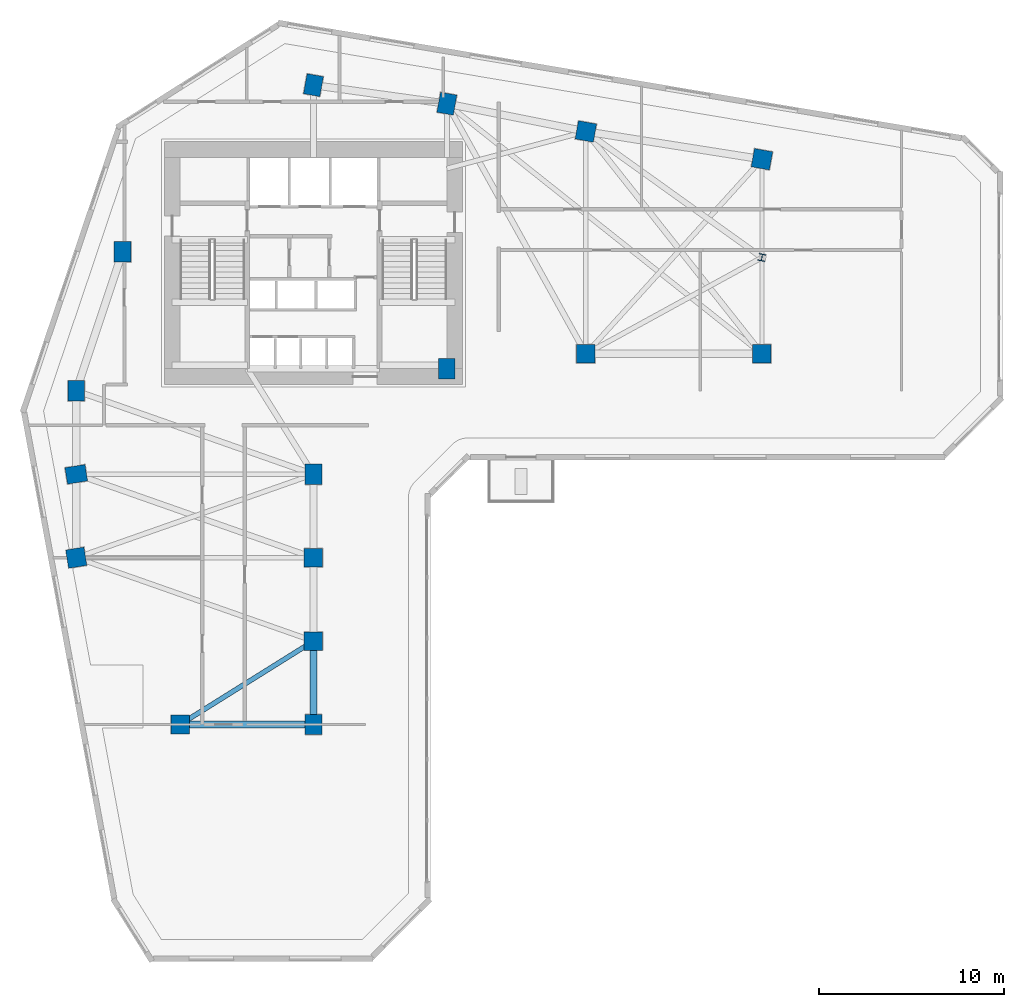
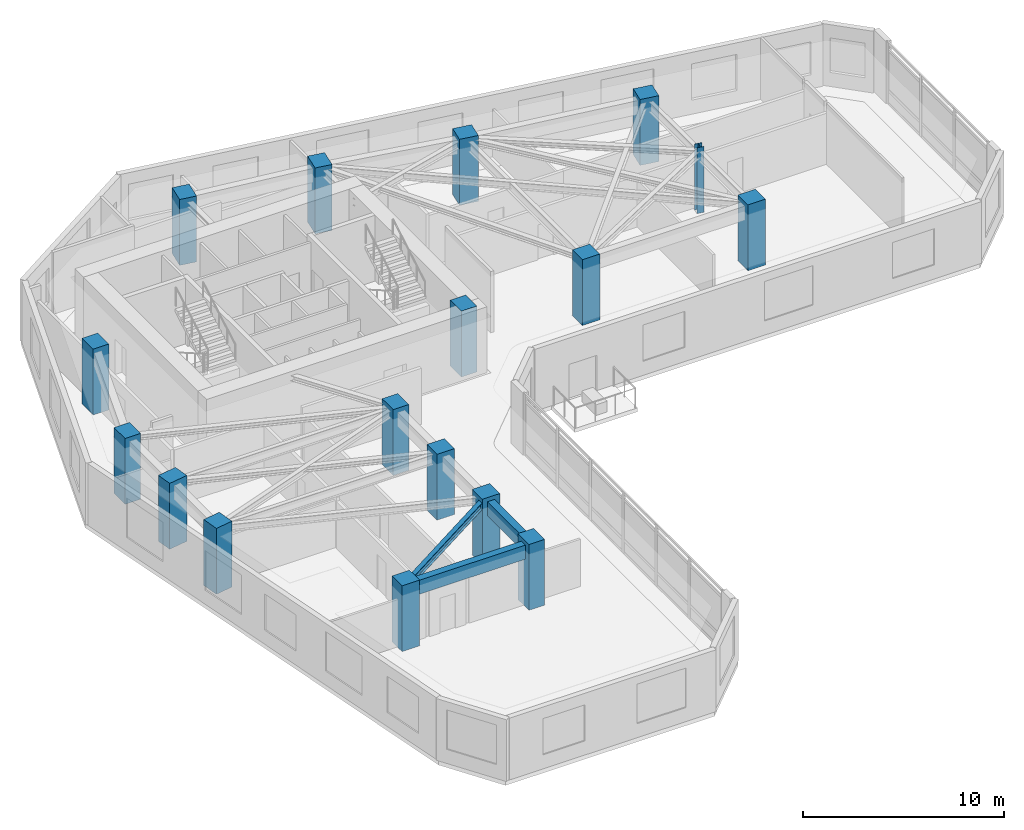
# One storey, part 1 of 11: 17 columns, 3 beams.
"""IFC4 building model written with IfcOpenShell, lengths in metres."""

import ifcopenshell
import ifcopenshell.guid

model = None  # the IFC model being written
_history = None  # IfcOwnerHistory: only IFC2X3 demands one
_inside = {}  # id of a spatial element -> (the spatial element, [elements in it])
_under = {}  # id of a project, library or spatial element -> (it, [spatial elements below it])
_declared = {}  # id of a project -> (the project, [libraries it declares])
_typed = {}  # id of a type object -> (the type object, [elements of that type])
_made_of = {}  # id of a material, layer set ... -> (it, [elements and type objects made of it])


def new_model(schema):
    """Start an empty IFC model of exactly this schema.

    Asked for "IFC4X3", IfcOpenShell would pick the latest addendum, in which some entities
    have other attributes; the version numbers below select the first issue.
    IFC2X3 requires an IfcOwnerHistory on every rooted entity: one is made here for all.
    """
    global model, _history
    if schema == "IFC4X3":
        model = ifcopenshell.file(schema_version=(4, 3, 0, 0))
    else:
        model = ifcopenshell.file(schema=schema)
    _inside.clear()
    _under.clear()
    _declared.clear()
    _typed.clear()
    _made_of.clear()
    _history = None
    if model.schema == "IFC2X3":
        org = make("IfcOrganization", Name="unknown")
        user = make(
            "IfcPersonAndOrganization",
            ThePerson=make("IfcPerson", FamilyName="unknown"),
            TheOrganization=org,
        )
        app = make(
            "IfcApplication",
            ApplicationDeveloper=org,
            Version="unknown",
            ApplicationFullName="unknown",
            ApplicationIdentifier="unknown",
        )
        _history = make(
            "IfcOwnerHistory",
            OwningUser=user,
            OwningApplication=app,
            ChangeAction="ADDED",
            CreationDate=0,
        )
    return model


def make(cls, **values):
    """One entity of the class cls with the attributes given. An attribute that is None is left unset."""
    return model.create_entity(
        cls, **{name: value for name, value in values.items() if value is not None}
    )


def rooted(cls, **values):
    """An entity with a GlobalId (a new one), such as an element, a storey or a relation."""
    return make(cls, GlobalId=ifcopenshell.guid.new(), OwnerHistory=_history, **values)


def si_unit(unit_type, name, prefix=None):
    """IfcSIUnit, for example si_unit("LENGTHUNIT", "METRE", prefix="MILLI")."""
    return make("IfcSIUnit", UnitType=unit_type, Prefix=prefix, Name=name)


def assignment(units):
    """IfcUnitAssignment: the units of a project."""
    return None if units is None else make("IfcUnitAssignment", Units=units)


def point(xyz):
    """IfcCartesianPoint."""
    return None if xyz is None else make("IfcCartesianPoint", Coordinates=xyz)


def direction(xyz):
    """IfcDirection."""
    return None if xyz is None else make("IfcDirection", DirectionRatios=xyz)


def frame(location, z_axis=None, x_axis=None):
    """IfcAxis2Placement3D, a coordinate frame: its origin and axes. An axis left out is left unset."""
    return make(
        "IfcAxis2Placement3D",
        Location=point(location),
        Axis=direction(z_axis),
        RefDirection=direction(x_axis),
    )


def frame_2d(location, x_axis=None):
    """IfcAxis2Placement2D, a coordinate frame in the plane: its origin and x axis."""
    return make(
        "IfcAxis2Placement2D", Location=point(location), RefDirection=direction(x_axis)
    )


def origin():
    """The frame at (0, 0, 0) with its axes left unset."""
    return frame((0.0, 0.0, 0.0))


def origin_2d():
    """The frame at (0, 0) in the plane with its x axis left unset."""
    return frame_2d((0.0, 0.0))


def place(relative_to, where):
    """IfcLocalPlacement: puts the frame where relative to a parent placement (None: the world)."""
    return make(
        "IfcLocalPlacement", PlacementRelTo=relative_to, RelativePlacement=where
    )


def context(
    kind, dimensions, precision=None, world=None, true_north=None, identifier=None
):
    """IfcGeometricRepresentationContext, for example the 3D "Model" context."""
    return make(
        "IfcGeometricRepresentationContext",
        ContextIdentifier=identifier,
        ContextType=kind,
        CoordinateSpaceDimension=dimensions,
        Precision=precision,
        WorldCoordinateSystem=world,
        TrueNorth=true_north,
    )


def subcontext(parent, identifier, kind, view, scale=None):
    """IfcGeometricRepresentationSubContext, for example "Body" below "Model"."""
    return make(
        "IfcGeometricRepresentationSubContext",
        ContextIdentifier=identifier,
        ContextType=kind,
        ParentContext=parent,
        TargetScale=scale,
        TargetView=view,
    )


def project(units=None, contexts=None):
    """IfcProject with its units and contexts."""
    return rooted(
        "IfcProject",
        Name="project",
        RepresentationContexts=contexts,
        UnitsInContext=assignment(units),
    )


def spatial(cls, under=None, at=None, **own):
    """A site, building, storey or space (cls), placed at a placement, below another one or the project."""
    s = rooted(cls, ObjectPlacement=at, **own)
    if under is not None:
        _under.setdefault(under.id(), (under, []))[1].append(s)
    return s


def profile(cls, at=None, kind="AREA", **sizes):
    """A parametric profile (cls). Its sizes go by their IFC names, for example OverallWidth=200.0."""
    return make(cls, ProfileType=kind, Position=at, **sizes)


def rectangle(**sizes):
    """IfcRectangleProfileDef."""
    return profile("IfcRectangleProfileDef", **sizes)


def i_section(**sizes):
    """IfcIShapeProfileDef."""
    return profile("IfcIShapeProfileDef", **sizes)


def extrude(swept, where, along, depth):
    """IfcExtrudedAreaSolid: the profile swept, set in the frame where, extruded along a direction by depth."""
    return make(
        "IfcExtrudedAreaSolid",
        SweptArea=swept,
        Position=where,
        ExtrudedDirection=direction(along),
        Depth=depth,
    )


def shape(context_of_items, identifier, shape_type, items):
    """IfcShapeRepresentation: the items that make up one representation, for example the "Body"."""
    return make(
        "IfcShapeRepresentation",
        ContextOfItems=context_of_items,
        RepresentationIdentifier=identifier,
        RepresentationType=shape_type,
        Items=items,
    )


def source(mapping_origin, context_of_items, identifier, shape_type, items):
    """IfcRepresentationMap: a shape defined once, which mapped items show again and again."""
    return make(
        "IfcRepresentationMap",
        MappingOrigin=mapping_origin,
        MappedRepresentation=shape(context_of_items, identifier, shape_type, items),
    )


def transform(
    local_origin,
    x_axis=None,
    y_axis=None,
    z_axis=None,
    scale=None,
    scale2=None,
    scale3=None,
    uniform=True,
):
    """IfcCartesianTransformationOperator3D, or its non-uniform kind. x_axis, y_axis, z_axis: its Axis1, 2, 3."""
    if uniform:
        return make(
            "IfcCartesianTransformationOperator3D",
            Axis1=direction(x_axis),
            Axis2=direction(y_axis),
            LocalOrigin=point(local_origin),
            Scale=scale,
            Axis3=direction(z_axis),
        )
    return make(
        "IfcCartesianTransformationOperator3DnonUniform",
        Axis1=direction(x_axis),
        Axis2=direction(y_axis),
        LocalOrigin=point(local_origin),
        Scale=scale,
        Axis3=direction(z_axis),
        Scale2=scale2,
        Scale3=scale3,
    )


def mapped(mapping_source, mapping_target):
    """IfcMappedItem: shows the shape of a source again, moved by a transform."""
    return make(
        "IfcMappedItem", MappingSource=mapping_source, MappingTarget=mapping_target
    )


def material(Name=None, Category=None):
    """IfcMaterial."""
    return make("IfcMaterial", Name=Name, Category=Category)


def material_profile(
    of_material, cross_section, Name=None, Category=None, Priority=None
):
    """IfcMaterialProfile: a cross section and its material."""
    return make(
        "IfcMaterialProfile",
        Name=Name,
        Material=of_material,
        Profile=cross_section,
        Priority=Priority,
        Category=Category,
    )


def profile_set(profiles, Name=None, composite=None):
    """IfcMaterialProfileSet."""
    return make(
        "IfcMaterialProfileSet",
        Name=Name,
        MaterialProfiles=profiles,
        CompositeProfile=composite,
    )


def made_of(thing, what):
    """Note that an element or type object is made of a material, layer set ...; save() writes the relation."""
    if what is not None:
        _made_of.setdefault(what.id(), (what, []))[1].append(thing)
    return thing


def type_object(cls, material=None, **own):
    """A type object (cls), such as IfcWallType, which elements share."""
    return made_of(rooted(cls, **own), material)


def element(
    cls,
    number,
    at=None,
    inside=None,
    cuts=None,
    type_object=None,
    material=None,
    context=None,
    identifier="Body",
    shape_type=None,
    held_by="IfcProductDefinitionShape",
    body=None,
    shapes=None,
    **own,
):
    """One element of the class cls, such as IfcWall. Its Tag is "e" and its number.

    at: its placement. inside: the storey or other place that contains it. cuts: it is an
    opening in that element (IfcRelVoidsElement). A single representation is given by context,
    identifier, shape_type and body (its items); several are given by shapes. held_by: the class
    of the entity that holds the representations. save() writes the other relations.
    """
    e = rooted(cls, Tag="e%d" % number, ObjectPlacement=at, **own)
    if body is not None:
        shapes = [shape(context, identifier, shape_type, body)]
    if shapes is not None:
        e.Representation = make(held_by, Representations=shapes)
    if inside is not None:
        _inside.setdefault(inside.id(), (inside, []))[1].append(e)
    if cuts is not None:
        rooted(
            "IfcRelVoidsElement", RelatingBuildingElement=cuts, RelatedOpeningElement=e
        )
    if type_object is not None:
        _typed.setdefault(type_object.id(), (type_object, []))[1].append(e)
    return made_of(e, material)


def aggregate(whole, parts):
    """IfcRelAggregates: a whole, such as a stair, and the parts it consists of."""
    return rooted("IfcRelAggregates", RelatingObject=whole, RelatedObjects=parts)


def save(model, path):
    """Write the relations noted so far, then the file.

    IfcRelAggregates (storeys below a building ...), IfcRelContainedInSpatialStructure (elements
    in a storey), IfcRelDefinesByType, IfcRelAssociatesMaterial and IfcRelDeclares: one each for
    every whole, place, type object, material and project.
    """
    for whole, parts in _under.values():
        aggregate(whole, parts)
    for where, things in _inside.values():
        rooted(
            "IfcRelContainedInSpatialStructure",
            RelatedElements=things,
            RelatingStructure=where,
        )
    for kind, things in _typed.values():
        rooted("IfcRelDefinesByType", RelatedObjects=things, RelatingType=kind)
    for what, things in _made_of.values():
        rooted("IfcRelAssociatesMaterial", RelatedObjects=things, RelatingMaterial=what)
    for by, libraries in _declared.values():
        rooted("IfcRelDeclares", RelatingContext=by, RelatedDefinitions=libraries)
    model.write(path)


model = new_model("IFC4")

# Units and contexts
model_context = context("Model", 3, precision=1e-05, world=origin(), true_north=direction((0.0, 1.0)))
body_context = subcontext(model_context, "Body", "Model", "MODEL_VIEW")
ifc_project = project(units=[si_unit("LENGTHUNIT", "METRE"), si_unit("AREAUNIT", "SQUARE_METRE"), si_unit("VOLUMEUNIT", "CUBIC_METRE"), si_unit("PLANEANGLEUNIT", "RADIAN"), si_unit("MASSUNIT", "GRAM", prefix="KILO")], contexts=[model_context])

# Site, building, storey
site_placement = place(None, origin())
site = spatial("IfcSite", under=ifc_project, at=site_placement, CompositionType="ELEMENT")
building_placement = place(site_placement, origin())
building = spatial("IfcBuilding", under=site, at=building_placement, Name="Calvemar Wedge Station Tower", CompositionType="ELEMENT")
storey_placement = place(building_placement, frame((0.0, 0.0, 47.0)))
storey = spatial("IfcBuildingStorey", under=building, at=storey_placement, Name="L11", CompositionType="ELEMENT", Elevation=47.0)

# Columns
ifc_material_1 = material(Name="Concrete C70", Category="concrete")
ifc_material_profile_1 = material_profile(ifc_material_1, rectangle(XDim=0.89990234375, YDim=1.10009765625, at=origin_2d()), Name="RC1100x900")
ifc_profile_set_1 = profile_set([ifc_material_profile_1], Name="Concrete C70")
column_type_1 = type_object("IfcColumnType", Name="COL-C3-1100x900", PredefinedType="COLUMN", material=ifc_profile_set_1)
shared_shape_1 = source(origin(), body_context, "Body", "SweptSolid", [
    extrude(rectangle(XDim=0.89990234375, YDim=1.10009765625, at=origin_2d()), origin(), (0.0, 0.0, 1.0), 4.0),
])
for number, where, z_axis, x_axis, name in (
    (1, (11.0, 33.0, 0.0), (0.0, 0.0, 1.0), (1.0, 0.0, 0.0), "Storey L11 Column T-NW1"),
    (2, (13.5, 40.5, 0.0), (0.0, 0.0, 1.0), (1.0, 0.0, 0.0), "Storey L11 Column T-NW2"),
    (3, (23.800048828125, 49.5, 0.0), (0.0, 0.0, 1.0), (0.984195607969, -0.17708474032, 0.0), "Storey L11 Column T-N1"),
    (4, (31.0, 48.5, 0.0), (0.0, 0.0, 1.0), (0.984195607969, -0.17708474032, 0.0), "Storey L11 Column T-N2"),
    (5, (31.0, 34.199951171875, 0.0), (0.0, 0.0, 1.0), (1.0, 0.0, 0.0), "Storey L11 Column T-NL1"),
    (6, (11.0, 28.5, 0.0), (0.0, 0.0, 1.0), (0.158158067254, -0.987413806751, 0.0), "Storey L11 Column T-SW1"),
    (7, (23.800048828125, 28.5, 0.0), (0.0, 0.0, 1.0), (1.0, 0.0, 0.0), "Storey L11 Column T-SE1"),
    (8, (23.800048828125, 15.0, 0.0), (0.0, 0.0, 1.0), (1.0, 0.0, 0.0), "Storey L11 Column T-SE4"),
):
    element("IfcColumn", number, at=place(storey_placement, frame(where, z_axis=z_axis, x_axis=x_axis)), inside=storey, type_object=column_type_1, Name=name, PredefinedType="COLUMN", context=body_context, shape_type="MappedRepresentation", body=[
        mapped(shared_shape_1, transform((0.0, 0.0, 0.0), scale=1.0)),
    ])
ifc_material_2 = material(Name="Concrete C60", Category="concrete")
ifc_material_profile_2 = material_profile(ifc_material_2, rectangle(XDim=1.0, YDim=1.0, at=origin_2d()), Name="RC1000x1000")
ifc_profile_set_2 = profile_set([ifc_material_profile_2], Name="Concrete C60")
column_type_2 = type_object("IfcColumnType", Name="COL-C4-1000", PredefinedType="COLUMN", material=ifc_profile_set_2)
shared_shape_2 = source(origin(), body_context, "Body", "SweptSolid", [
    extrude(rectangle(XDim=1.0, YDim=1.0, at=origin_2d()), origin(), (0.0, 0.0, 1.0), 4.0),
])
for number, where, z_axis, x_axis, name in (
    (9, (38.5, 47.0, 0.0), (0.0, 0.0, 1.0), (0.984195607969, -0.17708474032, 0.0), "Storey L11 Column T-NU3"),
    (10, (48.0, 45.5, 0.0), (0.0, 0.0, 1.0), (0.984195607969, -0.17708474032, 0.0), "Storey L11 Column T-NU4"),
    (11, (38.5, 35.0, 0.0), (0.0, 0.0, 1.0), (1.0, 0.0, 0.0), "Storey L11 Column T-NL2"),
    (12, (48.0, 35.0, 0.0), (0.0, 0.0, 1.0), (1.0, 0.0, 0.0), "Storey L11 Column T-NL3"),
    (13, (11.0, 24.0, 0.0), (0.0, 0.0, 1.0), (0.158158067254, -0.987413806751, 0.0), "Storey L11 Column T-SW2"),
    (14, (23.800048828125, 24.0, 0.0), (0.0, 0.0, 1.0), (1.0, 0.0, 0.0), "Storey L11 Column T-SE2"),
    (15, (23.800048828125, 19.5, 0.0), (0.0, 0.0, 1.0), (1.0, 0.0, 0.0), "Storey L11 Column T-SE3"),
    (16, (16.60009765625, 15.0, 0.0), (0.0, 0.0, 1.0), (1.0, 0.0, 0.0), "Storey L11 Column T-SM1"),
):
    element("IfcColumn", number, at=place(storey_placement, frame(where, z_axis=z_axis, x_axis=x_axis)), inside=storey, type_object=column_type_2, Name=name, PredefinedType="COLUMN", context=body_context, shape_type="MappedRepresentation", body=[
        mapped(shared_shape_2, transform((0.0, 0.0, 0.0), scale=1.0)),
    ])
ifc_material_3 = material(Name="Structural steel ASTM A572 Grade 50", Category="steel")
ifc_material_profile_3 = material_profile(ifc_material_3, i_section(OverallWidth=0.3740234375, OverallDepth=0.3720703125, WebThickness=0.016357421875, FlangeThickness=0.026123046875, FilletRadius=0.014892578125, at=origin_2d()), Name="W360x196")
ifc_profile_set_3 = profile_set([ifc_material_profile_3], Name="Structural steel ASTM A572 Grade 50")
column_type_3 = type_object("IfcColumnType", Name="COL-STL-W360", PredefinedType="COLUMN", material=ifc_profile_set_3)
shared_shape_3 = source(origin(), body_context, "Body", "SweptSolid", [
    extrude(i_section(OverallWidth=0.3740234375, OverallDepth=0.3720703125, WebThickness=0.016357421875, FlangeThickness=0.026123046875, FilletRadius=0.014892578125, at=origin_2d()), origin(), (0.0, 0.0, 1.0), 4.0),
])
column_placement = place(storey_placement, frame((48.0, 40.199951171875, 0.0), z_axis=(0.0, 0.0, 1.0), x_axis=(0.984195607969, -0.17708474032, 0.0)))
element("IfcColumn", 17, at=column_placement, inside=storey, type_object=column_type_3, Name="Storey L11 Column T-NTIP-A", PredefinedType="COLUMN", context=body_context, shape_type="MappedRepresentation", body=[
    mapped(shared_shape_3, transform((0.0, 0.0, 0.0), scale=1.0)),
])

# Beams
ifc_material_profile_4 = material_profile(ifc_material_2, rectangle(XDim=0.39990234375, YDim=0.85009765625, at=origin_2d()), Name="RC400x850")
ifc_profile_set_4 = profile_set([ifc_material_profile_4], Name="Concrete C60")
beam_type_1 = type_object("IfcBeamType", Name="BM-SP1-850", PredefinedType="SPANDREL", material=ifc_profile_set_4)
shared_shape_4 = source(origin(), body_context, "Body", "SweptSolid", [
    extrude(rectangle(XDim=0.39990234375, YDim=0.85009765625, at=origin_2d()), origin(), (0.0, 0.0, 1.0), 4.5),
])
beam_1_placement = place(storey_placement, frame((23.800048828125, 19.5, 3.324951171875), z_axis=(0.0, -1.0, 0.0), x_axis=(1.0, 0.0, 0.0)))
element("IfcBeam", 18, at=beam_1_placement, inside=storey, type_object=beam_type_1, Name="Storey L11 Spandrel T-SE3-T-SE4", PredefinedType="SPANDREL", context=body_context, shape_type="MappedRepresentation", body=[
    mapped(shared_shape_4, transform((0.0, 0.0, 0.0), scale=1.0)),
])
shared_shape_5 = source(origin(), body_context, "Body", "SweptSolid", [
    extrude(rectangle(XDim=0.39990234375, YDim=0.85009765625, at=origin_2d()), origin(), (0.0, 0.0, 1.0), 7.199951171875),
])
beam_2_placement = place(storey_placement, frame((16.60009765625, 15.0, 3.324951171875), z_axis=(1.0, 0.0, 0.0), x_axis=(0.0, 1.0, 0.0)))
element("IfcBeam", 19, at=beam_2_placement, inside=storey, type_object=beam_type_1, Name="Storey L11 Spandrel T-SM1-T-SE4", PredefinedType="SPANDREL", context=body_context, shape_type="MappedRepresentation", body=[
    mapped(shared_shape_5, transform((0.0, 0.0, 0.0), scale=1.0)),
])
ifc_material_profile_5 = material_profile(ifc_material_3, i_section(OverallWidth=0.260986328125, OverallDepth=0.419921875, WebThickness=0.01171875, FlangeThickness=0.019287109375, FilletRadius=0.012939453125, at=origin_2d()), Name="W410x114")
ifc_profile_set_5 = profile_set([ifc_material_profile_5], Name="Structural steel ASTM A572 Grade 50")
beam_type_2 = type_object("IfcBeamType", Name="BM-J2-W410H", PredefinedType="JOIST", material=ifc_profile_set_5)
shared_shape_6 = source(origin(), body_context, "Body", "SweptSolid", [
    extrude(i_section(OverallWidth=0.260986328125, OverallDepth=0.419921875, WebThickness=0.01171875, FlangeThickness=0.019287109375, FilletRadius=0.012939453125, at=origin_2d()), origin(), (0.0, 0.0, 1.0), 8.490478515625),
])
beam_3_placement = place(storey_placement, frame((23.800048828125, 19.5, 3.5400390625), z_axis=(-0.847996688584, -0.530001524668, 0.0), x_axis=(0.530001524668, -0.847996688584, 0.0)))
element("IfcBeam", 20, at=beam_3_placement, inside=storey, type_object=beam_type_2, Name="Storey L11 Floor Beam T-SE3-T-SM1", PredefinedType="JOIST", context=body_context, shape_type="MappedRepresentation", body=[
    mapped(shared_shape_6, transform((0.0, 0.0, 0.0), scale=1.0)),
])

save(model, "model.ifc")
